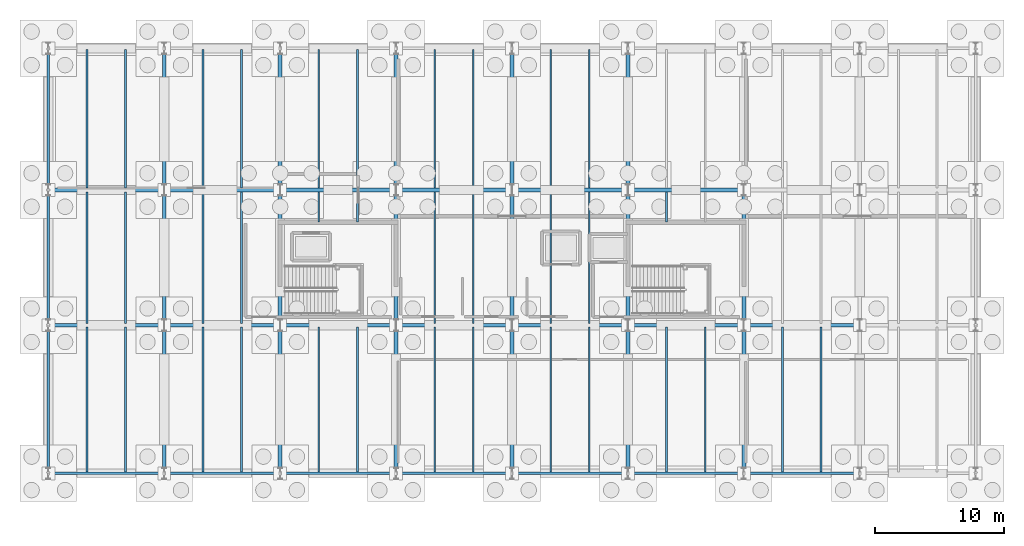
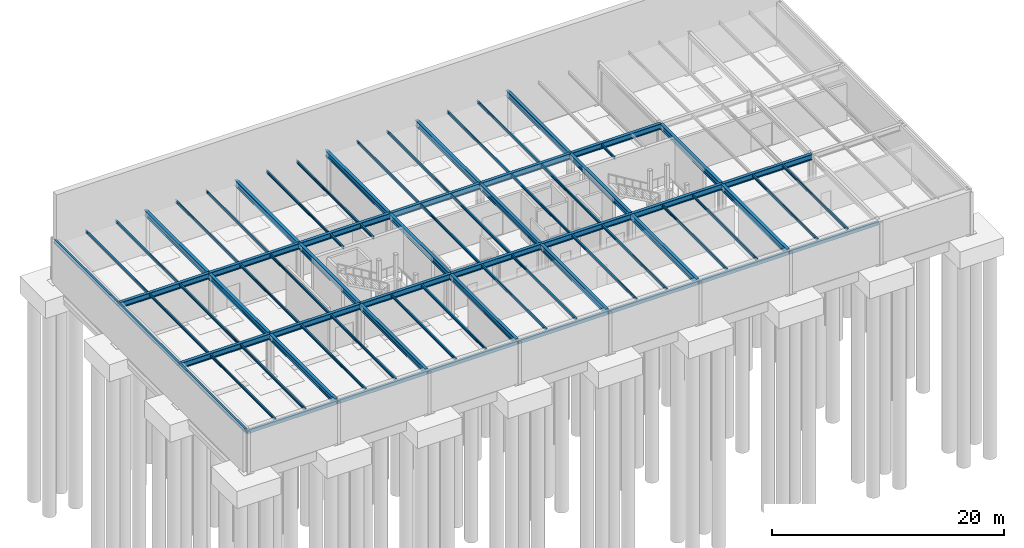
# One storey, part 7 of 19: 75 beams.
"""IFC4 building model written with IfcOpenShell, lengths in metres."""

from ifc_helpers import new_model, si_unit, direction, frame, origin, origin_2d, place, context, subcontext, project, spatial, hollow_rectangle, i_section, extrude, material, material_profile, profile_set, type_object, element, save


model = new_model("IFC4")

# Units and contexts
model_context = context("Model", 3, precision=1e-05, world=origin(), true_north=direction((0.0, 1.0)))
body_context = subcontext(model_context, "Body", "Model", "MODEL_VIEW")
ifc_project = project(units=[si_unit("LENGTHUNIT", "METRE"), si_unit("AREAUNIT", "SQUARE_METRE"), si_unit("VOLUMEUNIT", "CUBIC_METRE"), si_unit("PLANEANGLEUNIT", "RADIAN"), si_unit("MASSUNIT", "GRAM", prefix="KILO")], contexts=[model_context])

# Site, building, storey
site_placement = place(None, origin())
site = spatial("IfcSite", under=ifc_project, at=site_placement, CompositionType="ELEMENT")
building_placement = place(site_placement, origin())
building = spatial("IfcBuilding", under=site, at=building_placement, Name="Marlcrest Central Station", CompositionType="ELEMENT")
storey_placement = place(building_placement, frame((0.0, 0.0, -4.800048828125)))
storey = spatial("IfcBuildingStorey", under=building, at=storey_placement, Name="B1", CompositionType="ELEMENT", Elevation=-4.800048828125)

# Beams
ifc_material = material(Name="Steel S355", Category="steel")
ifc_material_profile_1 = material_profile(ifc_material, i_section(OverallWidth=0.300048828125, OverallDepth=0.60009765625, WebThickness=0.015380859375, FlangeThickness=0.030029296875, FilletRadius=0.027099609375, at=origin_2d()), Name="HEB 600")
ifc_profile_set_1 = profile_set([ifc_material_profile_1], Name="Steel S355")
beam_type_1 = type_object("IfcBeamType", Name="BM-12", PredefinedType="BEAM", material=ifc_profile_set_1)
for number, where, z_axis, x_axis, name in (
    (1, (0.050048828125, 110.5, 4.199951171875), (1.0, 0.0, 0.0), (0.0, 1.0, 0.0), "bm-BM-12-B1-00009"),
    (2, (9.050048828125, 110.5, 4.199951171875), (1.0, 0.0, 0.0), (0.0, 1.0, 0.0), "bm-BM-12-B1-00010"),
    (3, (18.050048828125, 110.5, 4.199951171875), (1.0, 0.0, 0.0), (0.0, 1.0, 0.0), "bm-BM-12-B1-00011"),
    (4, (27.050048828125, 110.5, 4.199951171875), (1.0, 0.0, 0.0), (0.0, 1.0, 0.0), "bm-BM-12-B1-00012"),
    (5, (36.050048828125, 110.5, 4.199951171875), (1.0, 0.0, 0.0), (0.0, 1.0, 0.0), "bm-BM-12-B1-00013"),
    (6, (45.050048828125, 110.5, 4.199951171875), (1.0, 0.0, 0.0), (0.0, 1.0, 0.0), "bm-BM-12-B1-00014"),
    (7, (54.050048828125, 110.5, 4.199951171875), (1.0, 0.0, 0.0), (0.0, 1.0, 0.0), "bm-BM-12-B1-00015"),
    (8, (0.050048828125, 121.0, 4.199951171875), (1.0, 0.0, 0.0), (0.0, 1.0, 0.0), "bm-BM-12-B1-00017"),
    (9, (9.050048828125, 121.0, 4.199951171875), (1.0, 0.0, 0.0), (0.0, 1.0, 0.0), "bm-BM-12-B1-00018"),
    (10, (18.050048828125, 121.0, 4.199951171875), (1.0, 0.0, 0.0), (0.0, 1.0, 0.0), "bm-BM-12-B1-00019"),
    (11, (27.050048828125, 121.0, 4.199951171875), (1.0, 0.0, 0.0), (0.0, 1.0, 0.0), "bm-BM-12-B1-00020"),
    (12, (36.050048828125, 121.0, 4.199951171875), (1.0, 0.0, 0.0), (0.0, 1.0, 0.0), "bm-BM-12-B1-00021"),
    (13, (45.050048828125, 121.0, 4.199951171875), (1.0, 0.0, 0.0), (0.0, 1.0, 0.0), "bm-BM-12-B1-00022"),
):
    element("IfcBeam", number, at=place(storey_placement, frame(where, z_axis=z_axis, x_axis=x_axis)), inside=storey, type_object=beam_type_1, Name=name, PredefinedType="BEAM", context=body_context, shape_type="SweptSolid", body=[
        extrude(i_section(OverallWidth=0.300048828125, OverallDepth=0.60009765625, WebThickness=0.015380859375, FlangeThickness=0.030029296875, FilletRadius=0.027099609375, at=origin_2d()), origin(), (0.0, 0.0, 1.0), 8.89990234375),
    ])
beam_1_placement = place(storey_placement, frame((9.0, 99.050048828125, 4.199951171875), z_axis=(0.0, 1.0, 0.0), x_axis=(-1.0, 0.0, 0.0)))
element("IfcBeam", 14, at=beam_1_placement, inside=storey, type_object=beam_type_1, Name="bm-BM-12-B1-00036", PredefinedType="BEAM", context=body_context, shape_type="SweptSolid", body=[
    extrude(i_section(OverallWidth=0.300048828125, OverallDepth=0.60009765625, WebThickness=0.015380859375, FlangeThickness=0.030029296875, FilletRadius=0.027099609375, at=origin_2d()), origin(), (0.0, 0.0, 1.0), 11.39990234375),
])
beam_2_placement = place(storey_placement, frame((9.0, 110.550048828125, 4.199951171875), z_axis=(0.0, 1.0, 0.0), x_axis=(-1.0, 0.0, 0.0)))
element("IfcBeam", 15, at=beam_2_placement, inside=storey, type_object=beam_type_1, Name="bm-BM-12-B1-00037", PredefinedType="BEAM", context=body_context, shape_type="SweptSolid", body=[
    extrude(i_section(OverallWidth=0.300048828125, OverallDepth=0.60009765625, WebThickness=0.015380859375, FlangeThickness=0.030029296875, FilletRadius=0.027099609375, at=origin_2d()), origin(), (0.0, 0.0, 1.0), 10.39990234375),
])
beam_3_placement = place(storey_placement, frame((9.0, 121.050048828125, 4.199951171875), z_axis=(0.0, 1.0, 0.0), x_axis=(-1.0, 0.0, 0.0)))
element("IfcBeam", 16, at=beam_3_placement, inside=storey, type_object=beam_type_1, Name="bm-BM-12-B1-00038", PredefinedType="BEAM", context=body_context, shape_type="SweptSolid", body=[
    extrude(i_section(OverallWidth=0.300048828125, OverallDepth=0.60009765625, WebThickness=0.015380859375, FlangeThickness=0.030029296875, FilletRadius=0.027099609375, at=origin_2d()), origin(), (0.0, 0.0, 1.0), 10.89990234375),
])
beam_4_placement = place(storey_placement, frame((18.0, 99.050048828125, 4.199951171875), z_axis=(0.0, 1.0, 0.0), x_axis=(-1.0, 0.0, 0.0)))
element("IfcBeam", 17, at=beam_4_placement, inside=storey, type_object=beam_type_1, Name="bm-BM-12-B1-00039", PredefinedType="BEAM", context=body_context, shape_type="SweptSolid", body=[
    extrude(i_section(OverallWidth=0.300048828125, OverallDepth=0.60009765625, WebThickness=0.015380859375, FlangeThickness=0.030029296875, FilletRadius=0.027099609375, at=origin_2d()), origin(), (0.0, 0.0, 1.0), 11.39990234375),
])
beam_5_placement = place(storey_placement, frame((18.0, 110.550048828125, 4.199951171875), z_axis=(0.0, 1.0, 0.0), x_axis=(-1.0, 0.0, 0.0)))
element("IfcBeam", 18, at=beam_5_placement, inside=storey, type_object=beam_type_1, Name="bm-BM-12-B1-00040", PredefinedType="BEAM", context=body_context, shape_type="SweptSolid", body=[
    extrude(i_section(OverallWidth=0.300048828125, OverallDepth=0.60009765625, WebThickness=0.015380859375, FlangeThickness=0.030029296875, FilletRadius=0.027099609375, at=origin_2d()), origin(), (0.0, 0.0, 1.0), 10.39990234375),
])
beam_6_placement = place(storey_placement, frame((18.0, 121.050048828125, 4.199951171875), z_axis=(0.0, 1.0, 0.0), x_axis=(-1.0, 0.0, 0.0)))
element("IfcBeam", 19, at=beam_6_placement, inside=storey, type_object=beam_type_1, Name="bm-BM-12-B1-00041", PredefinedType="BEAM", context=body_context, shape_type="SweptSolid", body=[
    extrude(i_section(OverallWidth=0.300048828125, OverallDepth=0.60009765625, WebThickness=0.015380859375, FlangeThickness=0.030029296875, FilletRadius=0.027099609375, at=origin_2d()), origin(), (0.0, 0.0, 1.0), 10.89990234375),
])
beam_7_placement = place(storey_placement, frame((27.0, 99.050048828125, 4.199951171875), z_axis=(0.0, 1.0, 0.0), x_axis=(-1.0, 0.0, 0.0)))
element("IfcBeam", 20, at=beam_7_placement, inside=storey, type_object=beam_type_1, Name="bm-BM-12-B1-00042", PredefinedType="BEAM", context=body_context, shape_type="SweptSolid", body=[
    extrude(i_section(OverallWidth=0.300048828125, OverallDepth=0.60009765625, WebThickness=0.015380859375, FlangeThickness=0.030029296875, FilletRadius=0.027099609375, at=origin_2d()), origin(), (0.0, 0.0, 1.0), 11.39990234375),
])
beam_8_placement = place(storey_placement, frame((27.0, 110.550048828125, 4.199951171875), z_axis=(0.0, 1.0, 0.0), x_axis=(-1.0, 0.0, 0.0)))
element("IfcBeam", 21, at=beam_8_placement, inside=storey, type_object=beam_type_1, Name="bm-BM-12-B1-00043", PredefinedType="BEAM", context=body_context, shape_type="SweptSolid", body=[
    extrude(i_section(OverallWidth=0.300048828125, OverallDepth=0.60009765625, WebThickness=0.015380859375, FlangeThickness=0.030029296875, FilletRadius=0.027099609375, at=origin_2d()), origin(), (0.0, 0.0, 1.0), 10.39990234375),
])
beam_9_placement = place(storey_placement, frame((27.0, 121.050048828125, 4.199951171875), z_axis=(0.0, 1.0, 0.0), x_axis=(-1.0, 0.0, 0.0)))
element("IfcBeam", 22, at=beam_9_placement, inside=storey, type_object=beam_type_1, Name="bm-BM-12-B1-00044", PredefinedType="BEAM", context=body_context, shape_type="SweptSolid", body=[
    extrude(i_section(OverallWidth=0.300048828125, OverallDepth=0.60009765625, WebThickness=0.015380859375, FlangeThickness=0.030029296875, FilletRadius=0.027099609375, at=origin_2d()), origin(), (0.0, 0.0, 1.0), 10.89990234375),
])
beam_10_placement = place(storey_placement, frame((36.0, 99.050048828125, 4.199951171875), z_axis=(0.0, 1.0, 0.0), x_axis=(-1.0, 0.0, 0.0)))
element("IfcBeam", 23, at=beam_10_placement, inside=storey, type_object=beam_type_1, Name="bm-BM-12-B1-00045", PredefinedType="BEAM", context=body_context, shape_type="SweptSolid", body=[
    extrude(i_section(OverallWidth=0.300048828125, OverallDepth=0.60009765625, WebThickness=0.015380859375, FlangeThickness=0.030029296875, FilletRadius=0.027099609375, at=origin_2d()), origin(), (0.0, 0.0, 1.0), 11.39990234375),
])
beam_11_placement = place(storey_placement, frame((36.0, 110.550048828125, 4.199951171875), z_axis=(0.0, 1.0, 0.0), x_axis=(-1.0, 0.0, 0.0)))
element("IfcBeam", 24, at=beam_11_placement, inside=storey, type_object=beam_type_1, Name="bm-BM-12-B1-00046", PredefinedType="BEAM", context=body_context, shape_type="SweptSolid", body=[
    extrude(i_section(OverallWidth=0.300048828125, OverallDepth=0.60009765625, WebThickness=0.015380859375, FlangeThickness=0.030029296875, FilletRadius=0.027099609375, at=origin_2d()), origin(), (0.0, 0.0, 1.0), 10.39990234375),
])
beam_12_placement = place(storey_placement, frame((36.0, 121.050048828125, 4.199951171875), z_axis=(0.0, 1.0, 0.0), x_axis=(-1.0, 0.0, 0.0)))
element("IfcBeam", 25, at=beam_12_placement, inside=storey, type_object=beam_type_1, Name="bm-BM-12-B1-00047", PredefinedType="BEAM", context=body_context, shape_type="SweptSolid", body=[
    extrude(i_section(OverallWidth=0.300048828125, OverallDepth=0.60009765625, WebThickness=0.015380859375, FlangeThickness=0.030029296875, FilletRadius=0.027099609375, at=origin_2d()), origin(), (0.0, 0.0, 1.0), 10.89990234375),
])
beam_13_placement = place(storey_placement, frame((45.0, 99.050048828125, 4.199951171875), z_axis=(0.0, 1.0, 0.0), x_axis=(-1.0, 0.0, 0.0)))
element("IfcBeam", 26, at=beam_13_placement, inside=storey, type_object=beam_type_1, Name="bm-BM-12-B1-00048", PredefinedType="BEAM", context=body_context, shape_type="SweptSolid", body=[
    extrude(i_section(OverallWidth=0.300048828125, OverallDepth=0.60009765625, WebThickness=0.015380859375, FlangeThickness=0.030029296875, FilletRadius=0.027099609375, at=origin_2d()), origin(), (0.0, 0.0, 1.0), 11.39990234375),
])
beam_14_placement = place(storey_placement, frame((45.0, 110.550048828125, 4.199951171875), z_axis=(0.0, 1.0, 0.0), x_axis=(-1.0, 0.0, 0.0)))
element("IfcBeam", 27, at=beam_14_placement, inside=storey, type_object=beam_type_1, Name="bm-BM-12-B1-00049", PredefinedType="BEAM", context=body_context, shape_type="SweptSolid", body=[
    extrude(i_section(OverallWidth=0.300048828125, OverallDepth=0.60009765625, WebThickness=0.015380859375, FlangeThickness=0.030029296875, FilletRadius=0.027099609375, at=origin_2d()), origin(), (0.0, 0.0, 1.0), 10.39990234375),
])
beam_15_placement = place(storey_placement, frame((45.0, 121.050048828125, 4.199951171875), z_axis=(0.0, 1.0, 0.0), x_axis=(-1.0, 0.0, 0.0)))
element("IfcBeam", 28, at=beam_15_placement, inside=storey, type_object=beam_type_1, Name="bm-BM-12-B1-00050", PredefinedType="BEAM", context=body_context, shape_type="SweptSolid", body=[
    extrude(i_section(OverallWidth=0.300048828125, OverallDepth=0.60009765625, WebThickness=0.015380859375, FlangeThickness=0.030029296875, FilletRadius=0.027099609375, at=origin_2d()), origin(), (0.0, 0.0, 1.0), 10.89990234375),
])
beam_16_placement = place(storey_placement, frame((54.0, 99.050048828125, 4.199951171875), z_axis=(0.0, 1.0, 0.0), x_axis=(-1.0, 0.0, 0.0)))
element("IfcBeam", 29, at=beam_16_placement, inside=storey, type_object=beam_type_1, Name="bm-BM-12-B1-00051", PredefinedType="BEAM", context=body_context, shape_type="SweptSolid", body=[
    extrude(i_section(OverallWidth=0.300048828125, OverallDepth=0.60009765625, WebThickness=0.015380859375, FlangeThickness=0.030029296875, FilletRadius=0.027099609375, at=origin_2d()), origin(), (0.0, 0.0, 1.0), 11.39990234375),
])
beam_17_placement = place(storey_placement, frame((54.0, 110.550048828125, 4.199951171875), z_axis=(0.0, 1.0, 0.0), x_axis=(-1.0, 0.0, 0.0)))
element("IfcBeam", 30, at=beam_17_placement, inside=storey, type_object=beam_type_1, Name="bm-BM-12-B1-00052", PredefinedType="BEAM", context=body_context, shape_type="SweptSolid", body=[
    extrude(i_section(OverallWidth=0.300048828125, OverallDepth=0.60009765625, WebThickness=0.015380859375, FlangeThickness=0.030029296875, FilletRadius=0.027099609375, at=origin_2d()), origin(), (0.0, 0.0, 1.0), 10.39990234375),
])
ifc_material_profile_2 = material_profile(ifc_material, i_section(OverallWidth=0.135009765625, OverallDepth=0.27001953125, WebThickness=0.006591796875, FlangeThickness=0.01025390625, FilletRadius=0.014892578125, at=origin_2d()), Name="IPE 270")
ifc_profile_set_2 = profile_set([ifc_material_profile_2], Name="Steel S355")
beam_type_2 = type_object("IfcBeamType", Name="JS-04", PredefinedType="JOIST", material=ifc_profile_set_2)
beam_18_placement = place(storey_placement, frame((3.0, 99.094970703125, 4.364990234375), z_axis=(0.0, 1.0, 0.0), x_axis=(-1.0, 0.0, 0.0)))
element("IfcBeam", 31, at=beam_18_placement, inside=storey, type_object=beam_type_2, Name="bm-JS-04-B1-00060", PredefinedType="JOIST", context=body_context, shape_type="SweptSolid", body=[
    extrude(i_section(OverallWidth=0.135009765625, OverallDepth=0.27001953125, WebThickness=0.006591796875, FlangeThickness=0.01025390625, FilletRadius=0.014892578125, at=origin_2d()), origin(), (0.0, 0.0, 1.0), 11.260009765625),
])
beam_19_placement = place(storey_placement, frame((3.0, 110.64501953125, 4.364990234375), z_axis=(0.0, 1.0, 0.0), x_axis=(-1.0, 0.0, 0.0)))
element("IfcBeam", 32, at=beam_19_placement, inside=storey, type_object=beam_type_2, Name="bm-JS-04-B1-00061", PredefinedType="JOIST", context=body_context, shape_type="SweptSolid", body=[
    extrude(i_section(OverallWidth=0.135009765625, OverallDepth=0.27001953125, WebThickness=0.006591796875, FlangeThickness=0.01025390625, FilletRadius=0.014892578125, at=origin_2d()), origin(), (0.0, 0.0, 1.0), 10.2099609375),
])
beam_20_placement = place(storey_placement, frame((3.0, 121.14501953125, 4.364990234375), z_axis=(0.0, 1.0, 0.0), x_axis=(-1.0, 0.0, 0.0)))
element("IfcBeam", 33, at=beam_20_placement, inside=storey, type_object=beam_type_2, Name="bm-JS-04-B1-00062", PredefinedType="JOIST", context=body_context, shape_type="SweptSolid", body=[
    extrude(i_section(OverallWidth=0.135009765625, OverallDepth=0.27001953125, WebThickness=0.006591796875, FlangeThickness=0.01025390625, FilletRadius=0.014892578125, at=origin_2d()), origin(), (0.0, 0.0, 1.0), 10.760009765625),
])
beam_21_placement = place(storey_placement, frame((6.0, 99.094970703125, 4.364990234375), z_axis=(0.0, 1.0, 0.0), x_axis=(-1.0, 0.0, 0.0)))
element("IfcBeam", 34, at=beam_21_placement, inside=storey, type_object=beam_type_2, Name="bm-JS-04-B1-00063", PredefinedType="JOIST", context=body_context, shape_type="SweptSolid", body=[
    extrude(i_section(OverallWidth=0.135009765625, OverallDepth=0.27001953125, WebThickness=0.006591796875, FlangeThickness=0.01025390625, FilletRadius=0.014892578125, at=origin_2d()), origin(), (0.0, 0.0, 1.0), 11.260009765625),
])
beam_22_placement = place(storey_placement, frame((6.0, 110.64501953125, 4.364990234375), z_axis=(0.0, 1.0, 0.0), x_axis=(-1.0, 0.0, 0.0)))
element("IfcBeam", 35, at=beam_22_placement, inside=storey, type_object=beam_type_2, Name="bm-JS-04-B1-00064", PredefinedType="JOIST", context=body_context, shape_type="SweptSolid", body=[
    extrude(i_section(OverallWidth=0.135009765625, OverallDepth=0.27001953125, WebThickness=0.006591796875, FlangeThickness=0.01025390625, FilletRadius=0.014892578125, at=origin_2d()), origin(), (0.0, 0.0, 1.0), 10.2099609375),
])
beam_23_placement = place(storey_placement, frame((6.0, 121.14501953125, 4.364990234375), z_axis=(0.0, 1.0, 0.0), x_axis=(-1.0, 0.0, 0.0)))
element("IfcBeam", 36, at=beam_23_placement, inside=storey, type_object=beam_type_2, Name="bm-JS-04-B1-00065", PredefinedType="JOIST", context=body_context, shape_type="SweptSolid", body=[
    extrude(i_section(OverallWidth=0.135009765625, OverallDepth=0.27001953125, WebThickness=0.006591796875, FlangeThickness=0.01025390625, FilletRadius=0.014892578125, at=origin_2d()), origin(), (0.0, 0.0, 1.0), 10.760009765625),
])
beam_24_placement = place(storey_placement, frame((12.0, 99.094970703125, 4.364990234375), z_axis=(0.0, 1.0, 0.0), x_axis=(-1.0, 0.0, 0.0)))
element("IfcBeam", 37, at=beam_24_placement, inside=storey, type_object=beam_type_2, Name="bm-JS-04-B1-00066", PredefinedType="JOIST", context=body_context, shape_type="SweptSolid", body=[
    extrude(i_section(OverallWidth=0.135009765625, OverallDepth=0.27001953125, WebThickness=0.006591796875, FlangeThickness=0.01025390625, FilletRadius=0.014892578125, at=origin_2d()), origin(), (0.0, 0.0, 1.0), 11.260009765625),
])
beam_25_placement = place(storey_placement, frame((12.0, 110.64501953125, 4.364990234375), z_axis=(0.0, 1.0, 0.0), x_axis=(-1.0, 0.0, 0.0)))
element("IfcBeam", 38, at=beam_25_placement, inside=storey, type_object=beam_type_2, Name="bm-JS-04-B1-00067", PredefinedType="JOIST", context=body_context, shape_type="SweptSolid", body=[
    extrude(i_section(OverallWidth=0.135009765625, OverallDepth=0.27001953125, WebThickness=0.006591796875, FlangeThickness=0.01025390625, FilletRadius=0.014892578125, at=origin_2d()), origin(), (0.0, 0.0, 1.0), 10.2099609375),
])
beam_26_placement = place(storey_placement, frame((12.0, 121.14501953125, 4.364990234375), z_axis=(0.0, 1.0, 0.0), x_axis=(-1.0, 0.0, 0.0)))
element("IfcBeam", 39, at=beam_26_placement, inside=storey, type_object=beam_type_2, Name="bm-JS-04-B1-00068", PredefinedType="JOIST", context=body_context, shape_type="SweptSolid", body=[
    extrude(i_section(OverallWidth=0.135009765625, OverallDepth=0.27001953125, WebThickness=0.006591796875, FlangeThickness=0.01025390625, FilletRadius=0.014892578125, at=origin_2d()), origin(), (0.0, 0.0, 1.0), 10.760009765625),
])
beam_27_placement = place(storey_placement, frame((15.0, 99.094970703125, 4.364990234375), z_axis=(0.0, 1.0, 0.0), x_axis=(-1.0, 0.0, 0.0)))
element("IfcBeam", 40, at=beam_27_placement, inside=storey, type_object=beam_type_2, Name="bm-JS-04-B1-00069", PredefinedType="JOIST", context=body_context, shape_type="SweptSolid", body=[
    extrude(i_section(OverallWidth=0.135009765625, OverallDepth=0.27001953125, WebThickness=0.006591796875, FlangeThickness=0.01025390625, FilletRadius=0.014892578125, at=origin_2d()), origin(), (0.0, 0.0, 1.0), 11.260009765625),
])
beam_28_placement = place(storey_placement, frame((15.0, 110.64501953125, 4.364990234375), z_axis=(0.0, 1.0, 0.0), x_axis=(-1.0, 0.0, 0.0)))
element("IfcBeam", 41, at=beam_28_placement, inside=storey, type_object=beam_type_2, Name="bm-JS-04-B1-00070", PredefinedType="JOIST", context=body_context, shape_type="SweptSolid", body=[
    extrude(i_section(OverallWidth=0.135009765625, OverallDepth=0.27001953125, WebThickness=0.006591796875, FlangeThickness=0.01025390625, FilletRadius=0.014892578125, at=origin_2d()), origin(), (0.0, 0.0, 1.0), 10.2099609375),
])
beam_29_placement = place(storey_placement, frame((15.0, 121.14501953125, 4.364990234375), z_axis=(0.0, 1.0, 0.0), x_axis=(-1.0, 0.0, 0.0)))
element("IfcBeam", 42, at=beam_29_placement, inside=storey, type_object=beam_type_2, Name="bm-JS-04-B1-00071", PredefinedType="JOIST", context=body_context, shape_type="SweptSolid", body=[
    extrude(i_section(OverallWidth=0.135009765625, OverallDepth=0.27001953125, WebThickness=0.006591796875, FlangeThickness=0.01025390625, FilletRadius=0.014892578125, at=origin_2d()), origin(), (0.0, 0.0, 1.0), 10.760009765625),
])
beam_30_placement = place(storey_placement, frame((21.0, 99.094970703125, 4.364990234375), z_axis=(0.0, 1.0, 0.0), x_axis=(-1.0, 0.0, 0.0)))
element("IfcBeam", 43, at=beam_30_placement, inside=storey, type_object=beam_type_2, Name="bm-JS-04-B1-00072", PredefinedType="JOIST", context=body_context, shape_type="SweptSolid", body=[
    extrude(i_section(OverallWidth=0.135009765625, OverallDepth=0.27001953125, WebThickness=0.006591796875, FlangeThickness=0.01025390625, FilletRadius=0.014892578125, at=origin_2d()), origin(), (0.0, 0.0, 1.0), 11.260009765625),
])
beam_31_placement = place(storey_placement, frame((21.0, 118.52001953125, 4.364990234375), z_axis=(0.0, 1.0, 0.0), x_axis=(-1.0, 0.0, 0.0)))
element("IfcBeam", 44, at=beam_31_placement, inside=storey, type_object=beam_type_2, Name="bm-JS-04-B1-00073", PredefinedType="JOIST", context=body_context, shape_type="SweptSolid", body=[
    extrude(i_section(OverallWidth=0.135009765625, OverallDepth=0.27001953125, WebThickness=0.006591796875, FlangeThickness=0.01025390625, FilletRadius=0.014892578125, at=origin_2d()), origin(), (0.0, 0.0, 1.0), 2.3349609375),
])
beam_32_placement = place(storey_placement, frame((21.0, 121.14501953125, 4.364990234375), z_axis=(0.0, 1.0, 0.0), x_axis=(-1.0, 0.0, 0.0)))
element("IfcBeam", 45, at=beam_32_placement, inside=storey, type_object=beam_type_2, Name="bm-JS-04-B1-00074", PredefinedType="JOIST", context=body_context, shape_type="SweptSolid", body=[
    extrude(i_section(OverallWidth=0.135009765625, OverallDepth=0.27001953125, WebThickness=0.006591796875, FlangeThickness=0.01025390625, FilletRadius=0.014892578125, at=origin_2d()), origin(), (0.0, 0.0, 1.0), 10.760009765625),
])
beam_33_placement = place(storey_placement, frame((24.0, 99.094970703125, 4.364990234375), z_axis=(0.0, 1.0, 0.0), x_axis=(-1.0, 0.0, 0.0)))
element("IfcBeam", 46, at=beam_33_placement, inside=storey, type_object=beam_type_2, Name="bm-JS-04-B1-00075", PredefinedType="JOIST", context=body_context, shape_type="SweptSolid", body=[
    extrude(i_section(OverallWidth=0.135009765625, OverallDepth=0.27001953125, WebThickness=0.006591796875, FlangeThickness=0.01025390625, FilletRadius=0.014892578125, at=origin_2d()), origin(), (0.0, 0.0, 1.0), 11.260009765625),
])
beam_34_placement = place(storey_placement, frame((24.0, 118.52001953125, 4.364990234375), z_axis=(0.0, 1.0, 0.0), x_axis=(-1.0, 0.0, 0.0)))
element("IfcBeam", 47, at=beam_34_placement, inside=storey, type_object=beam_type_2, Name="bm-JS-04-B1-00076", PredefinedType="JOIST", context=body_context, shape_type="SweptSolid", body=[
    extrude(i_section(OverallWidth=0.135009765625, OverallDepth=0.27001953125, WebThickness=0.006591796875, FlangeThickness=0.01025390625, FilletRadius=0.014892578125, at=origin_2d()), origin(), (0.0, 0.0, 1.0), 2.3349609375),
])
beam_35_placement = place(storey_placement, frame((24.0, 121.14501953125, 4.364990234375), z_axis=(0.0, 1.0, 0.0), x_axis=(-1.0, 0.0, 0.0)))
element("IfcBeam", 48, at=beam_35_placement, inside=storey, type_object=beam_type_2, Name="bm-JS-04-B1-00077", PredefinedType="JOIST", context=body_context, shape_type="SweptSolid", body=[
    extrude(i_section(OverallWidth=0.135009765625, OverallDepth=0.27001953125, WebThickness=0.006591796875, FlangeThickness=0.01025390625, FilletRadius=0.014892578125, at=origin_2d()), origin(), (0.0, 0.0, 1.0), 10.760009765625),
])
beam_36_placement = place(storey_placement, frame((30.0, 99.094970703125, 4.364990234375), z_axis=(0.0, 1.0, 0.0), x_axis=(-1.0, 0.0, 0.0)))
element("IfcBeam", 49, at=beam_36_placement, inside=storey, type_object=beam_type_2, Name="bm-JS-04-B1-00078", PredefinedType="JOIST", context=body_context, shape_type="SweptSolid", body=[
    extrude(i_section(OverallWidth=0.135009765625, OverallDepth=0.27001953125, WebThickness=0.006591796875, FlangeThickness=0.01025390625, FilletRadius=0.014892578125, at=origin_2d()), origin(), (0.0, 0.0, 1.0), 11.260009765625),
])
beam_37_placement = place(storey_placement, frame((30.0, 110.64501953125, 4.364990234375), z_axis=(0.0, 1.0, 0.0), x_axis=(-1.0, 0.0, 0.0)))
element("IfcBeam", 50, at=beam_37_placement, inside=storey, type_object=beam_type_2, Name="bm-JS-04-B1-00079", PredefinedType="JOIST", context=body_context, shape_type="SweptSolid", body=[
    extrude(i_section(OverallWidth=0.135009765625, OverallDepth=0.27001953125, WebThickness=0.006591796875, FlangeThickness=0.01025390625, FilletRadius=0.014892578125, at=origin_2d()), origin(), (0.0, 0.0, 1.0), 10.2099609375),
])
beam_38_placement = place(storey_placement, frame((30.0, 121.14501953125, 4.364990234375), z_axis=(0.0, 1.0, 0.0), x_axis=(-1.0, 0.0, 0.0)))
element("IfcBeam", 51, at=beam_38_placement, inside=storey, type_object=beam_type_2, Name="bm-JS-04-B1-00080", PredefinedType="JOIST", context=body_context, shape_type="SweptSolid", body=[
    extrude(i_section(OverallWidth=0.135009765625, OverallDepth=0.27001953125, WebThickness=0.006591796875, FlangeThickness=0.01025390625, FilletRadius=0.014892578125, at=origin_2d()), origin(), (0.0, 0.0, 1.0), 10.760009765625),
])
beam_39_placement = place(storey_placement, frame((33.0, 99.094970703125, 4.364990234375), z_axis=(0.0, 1.0, 0.0), x_axis=(-1.0, 0.0, 0.0)))
element("IfcBeam", 52, at=beam_39_placement, inside=storey, type_object=beam_type_2, Name="bm-JS-04-B1-00081", PredefinedType="JOIST", context=body_context, shape_type="SweptSolid", body=[
    extrude(i_section(OverallWidth=0.135009765625, OverallDepth=0.27001953125, WebThickness=0.006591796875, FlangeThickness=0.01025390625, FilletRadius=0.014892578125, at=origin_2d()), origin(), (0.0, 0.0, 1.0), 11.260009765625),
])
beam_40_placement = place(storey_placement, frame((33.0, 110.64501953125, 4.364990234375), z_axis=(0.0, 1.0, 0.0), x_axis=(-1.0, 0.0, 0.0)))
element("IfcBeam", 53, at=beam_40_placement, inside=storey, type_object=beam_type_2, Name="bm-JS-04-B1-00082", PredefinedType="JOIST", context=body_context, shape_type="SweptSolid", body=[
    extrude(i_section(OverallWidth=0.135009765625, OverallDepth=0.27001953125, WebThickness=0.006591796875, FlangeThickness=0.01025390625, FilletRadius=0.014892578125, at=origin_2d()), origin(), (0.0, 0.0, 1.0), 10.2099609375),
])
beam_41_placement = place(storey_placement, frame((33.0, 121.14501953125, 4.364990234375), z_axis=(0.0, 1.0, 0.0), x_axis=(-1.0, 0.0, 0.0)))
element("IfcBeam", 54, at=beam_41_placement, inside=storey, type_object=beam_type_2, Name="bm-JS-04-B1-00083", PredefinedType="JOIST", context=body_context, shape_type="SweptSolid", body=[
    extrude(i_section(OverallWidth=0.135009765625, OverallDepth=0.27001953125, WebThickness=0.006591796875, FlangeThickness=0.01025390625, FilletRadius=0.014892578125, at=origin_2d()), origin(), (0.0, 0.0, 1.0), 10.760009765625),
])
beam_42_placement = place(storey_placement, frame((39.0, 99.094970703125, 4.364990234375), z_axis=(0.0, 1.0, 0.0), x_axis=(-1.0, 0.0, 0.0)))
element("IfcBeam", 55, at=beam_42_placement, inside=storey, type_object=beam_type_2, Name="bm-JS-04-B1-00084", PredefinedType="JOIST", context=body_context, shape_type="SweptSolid", body=[
    extrude(i_section(OverallWidth=0.135009765625, OverallDepth=0.27001953125, WebThickness=0.006591796875, FlangeThickness=0.01025390625, FilletRadius=0.014892578125, at=origin_2d()), origin(), (0.0, 0.0, 1.0), 11.260009765625),
])
beam_43_placement = place(storey_placement, frame((39.0, 110.64501953125, 4.364990234375), z_axis=(0.0, 1.0, 0.0), x_axis=(-1.0, 0.0, 0.0)))
element("IfcBeam", 56, at=beam_43_placement, inside=storey, type_object=beam_type_2, Name="bm-JS-04-B1-00085", PredefinedType="JOIST", context=body_context, shape_type="SweptSolid", body=[
    extrude(i_section(OverallWidth=0.135009765625, OverallDepth=0.27001953125, WebThickness=0.006591796875, FlangeThickness=0.01025390625, FilletRadius=0.014892578125, at=origin_2d()), origin(), (0.0, 0.0, 1.0), 10.2099609375),
])
beam_44_placement = place(storey_placement, frame((39.0, 121.14501953125, 4.364990234375), z_axis=(0.0, 1.0, 0.0), x_axis=(-1.0, 0.0, 0.0)))
element("IfcBeam", 57, at=beam_44_placement, inside=storey, type_object=beam_type_2, Name="bm-JS-04-B1-00086", PredefinedType="JOIST", context=body_context, shape_type="SweptSolid", body=[
    extrude(i_section(OverallWidth=0.135009765625, OverallDepth=0.27001953125, WebThickness=0.006591796875, FlangeThickness=0.01025390625, FilletRadius=0.014892578125, at=origin_2d()), origin(), (0.0, 0.0, 1.0), 10.760009765625),
])
beam_45_placement = place(storey_placement, frame((42.0, 99.094970703125, 4.364990234375), z_axis=(0.0, 1.0, 0.0), x_axis=(-1.0, 0.0, 0.0)))
element("IfcBeam", 58, at=beam_45_placement, inside=storey, type_object=beam_type_2, Name="bm-JS-04-B1-00087", PredefinedType="JOIST", context=body_context, shape_type="SweptSolid", body=[
    extrude(i_section(OverallWidth=0.135009765625, OverallDepth=0.27001953125, WebThickness=0.006591796875, FlangeThickness=0.01025390625, FilletRadius=0.014892578125, at=origin_2d()), origin(), (0.0, 0.0, 1.0), 11.260009765625),
])
beam_46_placement = place(storey_placement, frame((42.0, 110.64501953125, 4.364990234375), z_axis=(0.0, 1.0, 0.0), x_axis=(-1.0, 0.0, 0.0)))
element("IfcBeam", 59, at=beam_46_placement, inside=storey, type_object=beam_type_2, Name="bm-JS-04-B1-00088", PredefinedType="JOIST", context=body_context, shape_type="SweptSolid", body=[
    extrude(i_section(OverallWidth=0.135009765625, OverallDepth=0.27001953125, WebThickness=0.006591796875, FlangeThickness=0.01025390625, FilletRadius=0.014892578125, at=origin_2d()), origin(), (0.0, 0.0, 1.0), 10.2099609375),
])
beam_47_placement = place(storey_placement, frame((42.0, 121.14501953125, 4.364990234375), z_axis=(0.0, 1.0, 0.0), x_axis=(-1.0, 0.0, 0.0)))
element("IfcBeam", 60, at=beam_47_placement, inside=storey, type_object=beam_type_2, Name="bm-JS-04-B1-00089", PredefinedType="JOIST", context=body_context, shape_type="SweptSolid", body=[
    extrude(i_section(OverallWidth=0.135009765625, OverallDepth=0.27001953125, WebThickness=0.006591796875, FlangeThickness=0.01025390625, FilletRadius=0.014892578125, at=origin_2d()), origin(), (0.0, 0.0, 1.0), 10.760009765625),
])
beam_48_placement = place(storey_placement, frame((48.0, 99.094970703125, 4.364990234375), z_axis=(0.0, 1.0, 0.0), x_axis=(-1.0, 0.0, 0.0)))
element("IfcBeam", 61, at=beam_48_placement, inside=storey, type_object=beam_type_2, Name="bm-JS-04-B1-00090", PredefinedType="JOIST", context=body_context, shape_type="SweptSolid", body=[
    extrude(i_section(OverallWidth=0.135009765625, OverallDepth=0.27001953125, WebThickness=0.006591796875, FlangeThickness=0.01025390625, FilletRadius=0.014892578125, at=origin_2d()), origin(), (0.0, 0.0, 1.0), 11.260009765625),
])
beam_49_placement = place(storey_placement, frame((48.0, 118.52001953125, 4.364990234375), z_axis=(0.0, 1.0, 0.0), x_axis=(-1.0, 0.0, 0.0)))
element("IfcBeam", 62, at=beam_49_placement, inside=storey, type_object=beam_type_2, Name="bm-JS-04-B1-00091", PredefinedType="JOIST", context=body_context, shape_type="SweptSolid", body=[
    extrude(i_section(OverallWidth=0.135009765625, OverallDepth=0.27001953125, WebThickness=0.006591796875, FlangeThickness=0.01025390625, FilletRadius=0.014892578125, at=origin_2d()), origin(), (0.0, 0.0, 1.0), 2.3349609375),
])
for number, where, z_axis, x_axis, name in (
    (63, (51.0, 99.094970703125, 4.364990234375), (0.0, 1.0, 0.0), (-1.0, 0.0, 0.0), "bm-JS-04-B1-00093"),
    (64, (57.0, 99.094970703125, 4.364990234375), (0.0, 1.0, 0.0), (-1.0, 0.0, 0.0), "bm-JS-04-B1-00096"),
    (65, (60.0, 99.094970703125, 4.364990234375), (0.0, 1.0, 0.0), (-1.0, 0.0, 0.0), "bm-JS-04-B1-00099"),
):
    element("IfcBeam", number, at=place(storey_placement, frame(where, z_axis=z_axis, x_axis=x_axis)), inside=storey, type_object=beam_type_2, Name=name, PredefinedType="JOIST", context=body_context, shape_type="SweptSolid", body=[
        extrude(i_section(OverallWidth=0.135009765625, OverallDepth=0.27001953125, WebThickness=0.006591796875, FlangeThickness=0.01025390625, FilletRadius=0.014892578125, at=origin_2d()), origin(), (0.0, 0.0, 1.0), 11.260009765625),
    ])
ifc_material_profile_3 = material_profile(ifc_material, hollow_rectangle(XDim=0.199951171875, YDim=0.39990234375, WallThickness=0.01611328125, at=origin_2d()), Name="RHS 400x200x16")
ifc_profile_set_3 = profile_set([ifc_material_profile_3], Name="Steel S355")
beam_type_3 = type_object("IfcBeamType", Name="SP-01", PredefinedType="SPANDREL", material=ifc_profile_set_3)
for number, where, z_axis, x_axis, name in (
    (66, (0.050048828125, 99.0, 4.195068359375), (1.0, 0.0, 0.0), (0.0, 1.0, 0.0), "bm-SP-01-B1-00001"),
    (67, (9.050048828125, 99.0, 4.195068359375), (1.0, 0.0, 0.0), (0.0, 1.0, 0.0), "bm-SP-01-B1-00002"),
    (68, (18.050048828125, 99.0, 4.195068359375), (1.0, 0.0, 0.0), (0.0, 1.0, 0.0), "bm-SP-01-B1-00003"),
    (69, (27.050048828125, 99.0, 4.195068359375), (1.0, 0.0, 0.0), (0.0, 1.0, 0.0), "bm-SP-01-B1-00004"),
    (70, (36.050048828125, 99.0, 4.195068359375), (1.0, 0.0, 0.0), (0.0, 1.0, 0.0), "bm-SP-01-B1-00005"),
    (71, (45.050048828125, 99.0, 4.195068359375), (1.0, 0.0, 0.0), (0.0, 1.0, 0.0), "bm-SP-01-B1-00006"),
    (72, (54.050048828125, 99.0, 4.195068359375), (1.0, 0.0, 0.0), (0.0, 1.0, 0.0), "bm-SP-01-B1-00007"),
):
    element("IfcBeam", number, at=place(storey_placement, frame(where, z_axis=z_axis, x_axis=x_axis)), inside=storey, type_object=beam_type_3, Name=name, PredefinedType="SPANDREL", context=body_context, shape_type="SweptSolid", body=[
        extrude(hollow_rectangle(XDim=0.199951171875, YDim=0.39990234375, WallThickness=0.01611328125, at=origin_2d()), origin(), (0.0, 0.0, 1.0), 8.89990234375),
    ])
beam_50_placement = place(storey_placement, frame((0.0, 99.050048828125, 4.300048828125), z_axis=(0.0, 1.0, 0.0), x_axis=(-1.0, 0.0, 0.0)))
element("IfcBeam", 73, at=beam_50_placement, inside=storey, type_object=beam_type_3, Name="bm-SP-01-B1-00033", PredefinedType="SPANDREL", context=body_context, shape_type="SweptSolid", body=[
    extrude(hollow_rectangle(XDim=0.199951171875, YDim=0.39990234375, WallThickness=0.01611328125, at=origin_2d()), origin(), (0.0, 0.0, 1.0), 11.39990234375),
])
beam_51_placement = place(storey_placement, frame((0.0, 110.550048828125, 4.300048828125), z_axis=(0.0, 1.0, 0.0), x_axis=(-1.0, 0.0, 0.0)))
element("IfcBeam", 74, at=beam_51_placement, inside=storey, type_object=beam_type_3, Name="bm-SP-01-B1-00034", PredefinedType="SPANDREL", context=body_context, shape_type="SweptSolid", body=[
    extrude(hollow_rectangle(XDim=0.199951171875, YDim=0.39990234375, WallThickness=0.01611328125, at=origin_2d()), origin(), (0.0, 0.0, 1.0), 10.39990234375),
])
beam_52_placement = place(storey_placement, frame((0.0, 121.050048828125, 4.300048828125), z_axis=(0.0, 1.0, 0.0), x_axis=(-1.0, 0.0, 0.0)))
element("IfcBeam", 75, at=beam_52_placement, inside=storey, type_object=beam_type_3, Name="bm-SP-01-B1-00035", PredefinedType="SPANDREL", context=body_context, shape_type="SweptSolid", body=[
    extrude(hollow_rectangle(XDim=0.199951171875, YDim=0.39990234375, WallThickness=0.01611328125, at=origin_2d()), origin(), (0.0, 0.0, 1.0), 10.89990234375),
])

save(model, "model.ifc")
